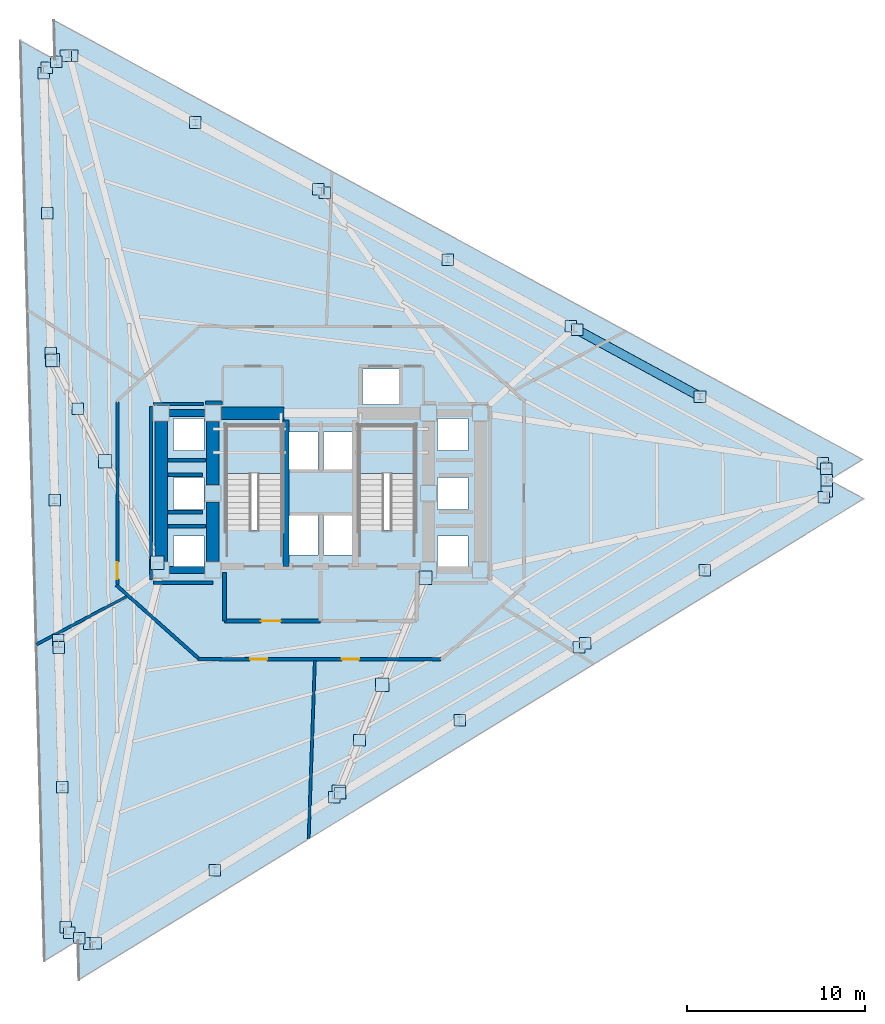
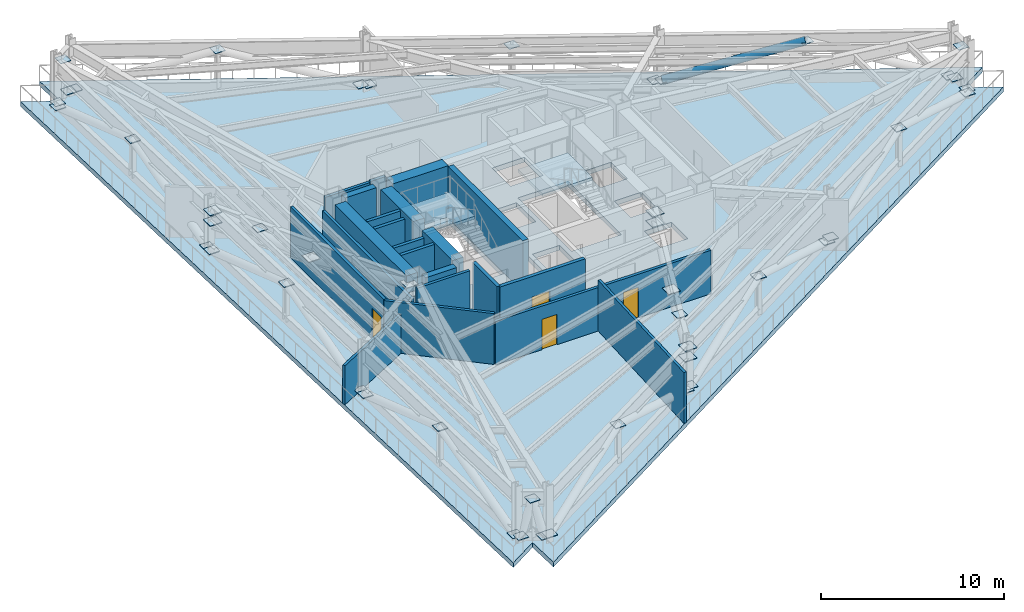
# One storey, part 5 of 10: 48 plates, 22 walls, 4 doors, 3 slabs, 1 member, 4 openings, 2 elements without a shape of their own.
"""IFC4 building model written with IfcOpenShell, lengths in metres."""

from ifc_helpers import new_model, si_unit, direction, frame, frame_2d, origin, origin_2d, place, context, subcontext, project, spatial, polyline, rectangle, hollow_circle, outline, extrude, material, layer, layer_set, material_profile, profile_set, type_object, element, fill, aggregate, save


model = new_model("IFC4")

# Units and contexts
model_context = context("Model", 3, precision=1e-05, world=origin(), true_north=direction((0.0, 1.0)))
body_context = subcontext(model_context, "Body", "Model", "MODEL_VIEW")
ifc_project = project(units=[si_unit("LENGTHUNIT", "METRE"), si_unit("AREAUNIT", "SQUARE_METRE"), si_unit("VOLUMEUNIT", "CUBIC_METRE"), si_unit("PLANEANGLEUNIT", "RADIAN"), si_unit("MASSUNIT", "GRAM", prefix="KILO")], contexts=[model_context])

# Site, building, storey
site_placement = place(None, origin())
site = spatial("IfcSite", under=ifc_project, at=site_placement, CompositionType="ELEMENT")
building_placement = place(site_placement, origin())
building = spatial("IfcBuilding", under=site, at=building_placement, Name="Rocaltana Carrier Exchange", CompositionType="ELEMENT")
storey_placement = place(building_placement, frame((0.0, 0.0, 45.760009765625)))
storey = spatial("IfcBuildingStorey", under=building, at=storey_placement, Name="L14", CompositionType="ELEMENT", Elevation=45.760009765625)

# Member
ifc_material_1 = material(Name="Steel S460", Category="steel")
ifc_material_profile = material_profile(ifc_material_1, hollow_circle(Radius=0.25390625, WallThickness=0.02001953125, at=origin_2d()), Name="CHS508X20")
ifc_profile_set = profile_set([ifc_material_profile], Name="Steel S460")
member_type = type_object("IfcMemberType", Name="Belt Truss Diagonal CHS508", PredefinedType="BRACE", material=ifc_profile_set)
member_placement = place(storey_placement, frame((21.26611328125, 5.426025390625, 2.837890625), z_axis=(-0.837669257868, 0.454830548227, -0.302389462154), x_axis=(-0.477169496269, -0.8788112834, 0.0)))
element("IfcMember", 1, at=member_placement, inside=storey, type_object=member_type, Name="L14 Belt Truss Diagonal 1B", PredefinedType="BRACE", context=body_context, shape_type="SweptSolid", body=[
    extrude(hollow_circle(Radius=0.25390625, WallThickness=0.02001953125, at=origin_2d()), origin(), (0.0, 0.0, 1.0), 8.22705078125),
])

# Plates
ifc_material_2 = material(Name="Steel S460", Category="steel")
ifc_layer_1 = layer(ifc_material_2, 0.031982421875)
ifc_layer_set_1 = layer_set([ifc_layer_1], Name="Steel S460")
plate_type_1 = type_object("IfcPlateType", Name="Belt Truss Node End-Cap Plate 650x650x32", PredefinedType="USERDEFINED", material=ifc_layer_set_1)
for number, where, z_axis, x_axis, name in (
    (2, (28.15771484375, 1.68408203125, 0.333984375), (0.0, 0.0, 1.0), (1.0, 0.0, 0.0), "L14 Belt Truss Bottom Chord 1 node plate C0"),
    (3, (14.37451171875, 9.16796875, 0.333984375), (0.0, 0.0, 1.0), (1.0, 0.0, 0.0), "L14 Belt Truss Bottom Chord 1 node plate C1"),
    (4, (21.26611328125, 5.426025390625, 2.82177734375), (0.0, 0.0, 1.0), (1.0, 0.0, 0.0), "L14 Belt Truss Diagonal 1A node plate C1"),
    (5, (14.0087890625, 9.3662109375, 0.333984375), (0.0, 0.0, 1.0), (1.0, 0.0, 0.0), "L14 Belt Truss Bottom Chord 2 node plate C0"),
    (6, (0.2255859375, 16.85009765625, 0.333984375), (0.0, 0.0, 1.0), (1.0, 0.0, 0.0), "L14 Belt Truss Bottom Chord 2 node plate C1"),
    (7, (7.1171875, 13.108154296875, 2.82177734375), (0.0, 0.0, 1.0), (1.0, 0.0, 0.0), "L14 Belt Truss Diagonal 2A node plate C1"),
    (8, (-0.14013671875, 17.048583984375, 0.333984375), (0.0, 0.0, 1.0), (1.0, 0.0, 0.0), "L14 Belt Truss Bottom Chord 3 node plate C0"),
    (9, (-13.92333984375, 24.532470703125, 0.333984375), (0.0, 0.0, 1.0), (1.0, 0.0, 0.0), "L14 Belt Truss Bottom Chord 3 node plate C1"),
    (10, (-7.03173828125, 20.79052734375, 2.82177734375), (0.0, 0.0, 1.0), (1.0, 0.0, 0.0), "L14 Belt Truss Diagonal 3A node plate C1"),
    (11, (-14.283447265625, 24.52294921875, 0.333984375), (0.0, 0.0, 1.0), (1.0, 0.0, 0.0), "L14 Belt Truss Bottom Chord 4 node plate C0"),
    (12, (-15.365478515625, 23.860107421875, 0.333984375), (0.0, 0.0, 1.0), (1.0, 0.0, 0.0), "L14 Belt Truss Bottom Chord 4 node plate C1"),
    (13, (-14.824462890625, 24.19140625, 2.82177734375), (0.0, 0.0, 1.0), (1.0, 0.0, 0.0), "L14 Belt Truss Diagonal 4A node plate C1"),
    (14, (-15.53759765625, 23.54345703125, 0.333984375), (0.0, 0.0, 1.0), (1.0, 0.0, 0.0), "L14 Belt Truss Bottom Chord 5 node plate C0"),
    (15, (-15.126708984375, 7.86474609375, 0.333984375), (0.0, 0.0, 1.0), (1.0, 0.0, 0.0), "L14 Belt Truss Bottom Chord 5 node plate C1"),
    (16, (-15.33203125, 15.7041015625, 2.82177734375), (0.0, 0.0, 1.0), (1.0, 0.0, 0.0), "L14 Belt Truss Diagonal 5A node plate C1"),
    (17, (-15.115966796875, 7.448974609375, 0.333984375), (0.0, 0.0, 1.0), (1.0, 0.0, 0.0), "L14 Belt Truss Bottom Chord 6 node plate C0"),
    (18, (-14.705322265625, -8.229736328125, 0.333984375), (0.0, 0.0, 1.0), (1.0, 0.0, 0.0), "L14 Belt Truss Bottom Chord 6 node plate C1"),
    (19, (-14.91064453125, -0.390380859375, 2.82177734375), (0.0, 0.0, 1.0), (1.0, 0.0, 0.0), "L14 Belt Truss Diagonal 6A node plate C1"),
    (20, (-14.694580078125, -8.6455078125, 0.333984375), (0.0, 0.0, 1.0), (1.0, 0.0, 0.0), "L14 Belt Truss Bottom Chord 7 node plate C0"),
    (21, (-14.283935546875, -24.32421875, 0.333984375), (0.0, 0.0, 1.0), (1.0, 0.0, 0.0), "L14 Belt Truss Bottom Chord 7 node plate C1"),
    (22, (-14.4892578125, -16.48486328125, 2.82177734375), (0.0, 0.0, 1.0), (1.0, 0.0, 0.0), "L14 Belt Truss Diagonal 7A node plate C1"),
    (23, (-14.095703125, -24.631591796875, 0.333984375), (0.0, 0.0, 1.0), (1.0, 0.0, 0.0), "L14 Belt Truss Bottom Chord 8 node plate C0"),
    (24, (-12.980712890625, -25.23681640625, 0.333984375), (0.0, 0.0, 1.0), (1.0, 0.0, 0.0), "L14 Belt Truss Bottom Chord 8 node plate C1"),
    (25, (-13.5380859375, -24.93408203125, 2.82177734375), (0.0, 0.0, 1.0), (1.0, 0.0, 0.0), "L14 Belt Truss Diagonal 8A node plate C1"),
    (26, (-12.62060546875, -25.2275390625, 0.333984375), (0.0, 0.0, 1.0), (1.0, 0.0, 0.0), "L14 Belt Truss Bottom Chord 9 node plate C0"),
    (27, (0.75244140625, -17.03271484375, 0.333984375), (0.0, 0.0, 1.0), (1.0, 0.0, 0.0), "L14 Belt Truss Bottom Chord 9 node plate C1"),
    (28, (-5.93408203125, -21.130126953125, 2.82177734375), (0.0, 0.0, 1.0), (1.0, 0.0, 0.0), "L14 Belt Truss Diagonal 9A node plate C1"),
    (29, (1.10693359375, -16.815185546875, 0.333984375), (0.0, 0.0, 1.0), (1.0, 0.0, 0.0), "L14 Belt Truss Bottom Chord 10 node plate C0"),
    (30, (14.47998046875, -8.620361328125, 0.333984375), (0.0, 0.0, 1.0), (1.0, 0.0, 0.0), "L14 Belt Truss Bottom Chord 10 node plate C1"),
    (31, (7.79345703125, -12.7177734375, 2.82177734375), (0.0, 0.0, 1.0), (1.0, 0.0, 0.0), "L14 Belt Truss Diagonal 10A node plate C1"),
    (32, (14.83447265625, -8.403076171875, 0.333984375), (0.0, 0.0, 1.0), (1.0, 0.0, 0.0), "L14 Belt Truss Bottom Chord 11 node plate C0"),
    (33, (28.20751953125, -0.208251953125, 0.333984375), (0.0, 0.0, 1.0), (1.0, 0.0, 0.0), "L14 Belt Truss Bottom Chord 11 node plate C1"),
    (34, (21.52099609375, -4.3056640625, 2.82177734375), (0.0, 0.0, 1.0), (1.0, 0.0, 0.0), "L14 Belt Truss Diagonal 11A node plate C1"),
    (35, (28.37939453125, 0.1083984375, 0.333984375), (0.0, 0.0, 1.0), (1.0, 0.0, 0.0), "L14 Belt Truss Bottom Chord 12 node plate C0"),
    (36, (28.345947265625, 1.376953125, 0.333984375), (0.0, 0.0, 1.0), (1.0, 0.0, 0.0), "L14 Belt Truss Bottom Chord 12 node plate C1"),
    (37, (28.362548828125, 0.74267578125, 2.82177734375), (0.0, 0.0, 1.0), (1.0, 0.0, 0.0), "L14 Belt Truss Diagonal 12A node plate C1"),
    (38, (-13.61962890625, 4.747314453125, 2.921875), (0.0, 0.0, 1.0), (1.0, 0.0, 0.0), "L14 Wind Floor Tie Strut 6 node plate C1"),
    (39, (2.175537109375, -13.8525390625, 2.921875), (0.0, 0.0, 1.0), (1.0, 0.0, 0.0), "L14 Wind Floor Tie Strut 10 node plate C1"),
):
    element("IfcPlate", number, at=place(storey_placement, frame(where, z_axis=z_axis, x_axis=x_axis)), inside=storey, type_object=plate_type_1, Name=name, ObjectType="GUSSET PLATE", PredefinedType="USERDEFINED", context=body_context, shape_type="SweptSolid", body=[
        extrude(rectangle(XDim=0.64990234375, YDim=0.64990234375, at=origin_2d()), origin(), (0.0, 0.0, 1.0), 0.031982421875),
    ])

# Slab
ifc_material_3 = material(Name="Concrete C50/60", Category="concrete")
ifc_layer_2 = layer(ifc_material_3, 0.320068359375)
ifc_layer_set_2 = layer_set([ifc_layer_2], Name="Concrete C50/60")
slab_type_1 = type_object("IfcSlabType", Name="Mechanical Plant Slab 320", PredefinedType="FLOOR", material=ifc_layer_set_2)
slab_1_placement = place(storey_placement, frame((0.0, 0.0, -0.320068359375)))
element("IfcSlab", 40, at=slab_1_placement, inside=storey, type_object=slab_type_1, Name="L14 Structural Floor Slab", PredefinedType="FLOOR", context=body_context, shape_type="SweptSolid", body=[
    extrude(outline(polyline([(30.444580078125, -0.30322265625), (28.51123046875, 0.74658203125), (30.38720703125, 1.89599609375), (-14.959716796875, 26.517578125), (-14.902099609375, 24.318115234375), (-16.835693359375, 25.367919921875), (-15.48486328125, -26.21435546875), (-13.609130859375, -25.064697265625), (-13.551513671875, -27.26416015625), (30.444580078125, -0.30322265625)]), holes=[polyline([(-5.300048828125, -2.06005859375), (-2.139892578125, -2.06005859375), (-2.139892578125, 3.800048828125), (-5.300048828125, 3.800048828125), (-5.300048828125, -2.06005859375)]), polyline([(2.139892578125, -2.06005859375), (5.300048828125, -2.06005859375), (5.300048828125, 3.800048828125), (2.139892578125, 3.800048828125), (2.139892578125, -2.06005859375)]), polyline([(-1.85009765625, -3.449951171875), (-0.14990234375, -3.449951171875), (-0.14990234375, -1.25), (-1.85009765625, -1.25), (-1.85009765625, -3.449951171875)]), polyline([(0.14990234375, -3.449951171875), (1.85009765625, -3.449951171875), (1.85009765625, -1.25), (0.14990234375, -1.25), (0.14990234375, -3.449951171875)]), polyline([(2.35009765625, 4.97998046875), (4.39990234375, 4.97998046875), (4.39990234375, 6.97998046875), (2.35009765625, 6.97998046875), (2.35009765625, 4.97998046875)]), polyline([(-1.85009765625, 1.35009765625), (-0.14990234375, 1.35009765625), (-0.14990234375, 3.449951171875), (-1.85009765625, 3.449951171875), (-1.85009765625, 1.35009765625)]), polyline([(0.14990234375, 1.35009765625), (1.85009765625, 1.35009765625), (1.85009765625, 3.449951171875), (0.14990234375, 3.449951171875), (0.14990234375, 1.35009765625)]), polyline([(-8.25, -4.199951171875), (-6.550048828125, -4.199951171875), (-6.550048828125, -2.39990234375), (-8.25, -2.39990234375), (-8.25, -4.199951171875)]), polyline([(-8.25, -0.89990234375), (-6.550048828125, -0.89990234375), (-6.550048828125, 0.89990234375), (-8.25, 0.89990234375), (-8.25, -0.89990234375)]), polyline([(-8.25, 2.39990234375), (-6.550048828125, 2.39990234375), (-6.550048828125, 4.199951171875), (-8.25, 4.199951171875), (-8.25, 2.39990234375)]), polyline([(6.550048828125, -4.199951171875), (8.25, -4.199951171875), (8.25, -2.39990234375), (6.550048828125, -2.39990234375), (6.550048828125, -4.199951171875)]), polyline([(6.550048828125, -0.89990234375), (8.25, -0.89990234375), (8.25, 0.89990234375), (6.550048828125, 0.89990234375), (6.550048828125, -0.89990234375)]), polyline([(6.550048828125, 2.39990234375), (8.25, 2.39990234375), (8.25, 4.199951171875), (6.550048828125, 4.199951171875), (6.550048828125, 2.39990234375)])]), origin(), (0.0, 0.0, 1.0), 0.320068359375),
])

# Plates
ifc_material_4 = material(Name="Steel S460", Category="steel")
ifc_layer_3 = layer(ifc_material_4, 0.035888671875)
ifc_layer_set_3 = layer_set([ifc_layer_3], Name="Steel S460")
plate_type_2 = type_object("IfcPlateType", Name="Outrigger Node Gusset Plate 750x750x36", PredefinedType="USERDEFINED", material=ifc_layer_set_3)
for number, where, z_axis, x_axis, name in (
    (41, (-9.166015625, -3.881591796875, 2.22216796875), (0.0, 0.0, 1.0), (1.0, 0.0, 0.0), "L14 Outrigger Bottom Chord 6 node plate C0"),
    (42, (-15.02587890625, 7.471923828125, 2.22216796875), (0.0, 0.0, 1.0), (1.0, 0.0, 0.0), "L14 Outrigger Bottom Chord 6 node plate C1"),
    (43, (-9.166015625, -3.881591796875, 2.919921875), (0.0, 0.0, 1.0), (1.0, 0.0, 0.0), "L14 Outrigger Top Chord 6 node plate C0"),
    (44, (-15.02587890625, 7.471923828125, 2.919921875), (0.0, 0.0, 1.0), (1.0, 0.0, 0.0), "L14 Outrigger Top Chord 6 node plate C1"),
    (45, (-12.095947265625, 1.79541015625, 2.22216796875), (0.0, 0.0, 1.0), (1.0, 0.0, 0.0), "L14 Outrigger Inner Diagonal 6 node plate C1"),
    (46, (5.873046875, -4.736572265625, 2.22216796875), (0.0, 0.0, 1.0), (1.0, 0.0, 0.0), "L14 Outrigger Bottom Chord 10 node plate C0"),
    (47, (1.0078125, -16.731201171875, 2.22216796875), (0.0, 0.0, 1.0), (1.0, 0.0, 0.0), "L14 Outrigger Bottom Chord 10 node plate C1"),
    (48, (5.873046875, -4.736572265625, 2.919921875), (0.0, 0.0, 1.0), (1.0, 0.0, 0.0), "L14 Outrigger Top Chord 10 node plate C0"),
    (49, (1.0078125, -16.731201171875, 2.919921875), (0.0, 0.0, 1.0), (1.0, 0.0, 0.0), "L14 Outrigger Top Chord 10 node plate C1"),
    (50, (3.4404296875, -10.73388671875, 2.22216796875), (0.0, 0.0, 1.0), (1.0, 0.0, 0.0), "L14 Outrigger Inner Diagonal 10 node plate C1"),
):
    element("IfcPlate", number, at=place(storey_placement, frame(where, z_axis=z_axis, x_axis=x_axis)), inside=storey, type_object=plate_type_2, Name=name, ObjectType="GUSSET PLATE", PredefinedType="USERDEFINED", context=body_context, shape_type="SweptSolid", body=[
        extrude(rectangle(XDim=0.75, YDim=0.75, at=origin_2d()), origin(), (0.0, 0.0, 1.0), 0.035888671875),
    ])

# Stair, slab
ifc_material_5 = material(Name="Precast concrete C45/55", Category="concrete")
stair_type = type_object("IfcStairType", Name="Standard Dog-Leg Stair 160", PredefinedType="HALF_TURN_STAIR", material=ifc_material_5)
stair_1_placement = place(storey_placement, origin())
stair_1 = element("IfcStair", 51, at=stair_1_placement, inside=storey, type_object=stair_type, Name="L14 Core West Exit Stair ST-1", PredefinedType="HALF_TURN_STAIR")
ifc_material_6 = material(Name="Precast concrete C45/55", Category="concrete")
ifc_layer_4 = layer(ifc_material_6, 0.199951171875)
ifc_layer_set_4 = layer_set([ifc_layer_4], Name="Precast concrete C45/55")
slab_type_2 = type_object("IfcSlabType", Name="Precast Stair Half-Landing 200", PredefinedType="LANDING", material=ifc_layer_set_4)
slab_2_placement = place(storey_placement, frame((0.0, 0.0, 1.719970703125)))
slab_2 = element("IfcSlab", 52, at=slab_2_placement, type_object=slab_type_2, Name="ST-1 landing 1", PredefinedType="LANDING", context=body_context, shape_type="SweptSolid", body=[
    extrude(outline(polyline([(-2.139892578125, 1.10009765625), (-2.139892578125, 3.800048828125), (-5.300048828125, 3.800048828125), (-5.300048828125, 1.10009765625), (-2.139892578125, 1.10009765625)])), origin(), (0.0, 0.0, 1.0), 0.199951171875),
])
aggregate(stair_1, [slab_2])

stair_2_placement = place(storey_placement, origin())
stair_2 = element("IfcStair", 53, at=stair_2_placement, inside=storey, type_object=stair_type, Name="L14 Core East Exit Stair ST-2", PredefinedType="HALF_TURN_STAIR")
slab_3_placement = place(storey_placement, frame((0.0, 0.0, 1.719970703125)))
slab_3 = element("IfcSlab", 54, at=slab_3_placement, type_object=slab_type_2, Name="ST-2 landing 1", PredefinedType="LANDING", context=body_context, shape_type="SweptSolid", body=[
    extrude(outline(polyline([(5.300048828125, 1.10009765625), (5.300048828125, 3.800048828125), (2.139892578125, 3.800048828125), (2.139892578125, 1.10009765625), (5.300048828125, 1.10009765625)])), origin(), (0.0, 0.0, 1.0), 0.199951171875),
])
aggregate(stair_2, [slab_3])

# Walls
ifc_material_7 = material(Name="Double Acoustic Gypsum Partition", Category="gypsum")
ifc_layer_5 = layer(ifc_material_7, 0.159912109375)
ifc_layer_set_5 = layer_set([ifc_layer_5], Name="Double Acoustic Gypsum Partition")
wall_type_1 = type_object("IfcWallType", Name="Acoustic Studio Partition 160 EI60", PredefinedType="PARTITIONING", material=ifc_layer_set_5)
wall_1_placement = place(storey_placement, frame((-10.869873046875, -5.779541015625, 0.0), z_axis=(0.0, 0.0, 1.0), x_axis=(-0.88294664721, -0.469473341288, 0.0)))
element("IfcWall", 55, at=wall_1_placement, inside=storey, type_object=wall_type_1, Name="L14 Suite Divider Wall D1", PredefinedType="PARTITIONING", context=body_context, shape_type="SweptSolid", body=[
    extrude(rectangle(XDim=5.74169921875, YDim=0.159912109375, at=frame_2d((2.870849609375, 0.0))), origin(), (0.0, 0.0, 1.0), 2.60009765625),
])
wall_2_placement = place(storey_placement, frame((-0.32763671875, -9.3798828125, 0.0), z_axis=(0.0, 0.0, 1.0), x_axis=(-0.034878979951, -0.999391543269, 0.0)))
element("IfcWall", 56, at=wall_2_placement, inside=storey, type_object=wall_type_1, Name="L14 Suite Divider Wall D2", PredefinedType="PARTITIONING", context=body_context, shape_type="SweptSolid", body=[
    extrude(rectangle(XDim=9.988525390625, YDim=0.159912109375, at=frame_2d((4.994140625, 0.0))), origin(), (0.0, 0.0, 1.0), 3.39306640625),
])
ifc_material_8 = material(Name="Concrete C50/60", Category="concrete")
ifc_layer_6 = layer(ifc_material_8, 0.35009765625)
ifc_layer_set_6 = layer_set([ifc_layer_6], Name="Concrete C50/60")
wall_type_2 = type_object("IfcWallType", Name="Core Internal Shear Wall 350", PredefinedType="SHEAR", material=ifc_layer_set_6)
wall_3_placement = place(storey_placement, frame((-1.93994140625, -4.10009765625, 0.0), z_axis=(0.0, 0.0, 1.0), x_axis=(0.0, 1.0, 0.0)))
element("IfcWall", 57, at=wall_3_placement, inside=storey, type_object=wall_type_2, Name="L14 Core Shear Wall CW-STW", PredefinedType="SHEAR", context=body_context, shape_type="SweptSolid", body=[
    extrude(rectangle(XDim=8.2001953125, YDim=0.35009765625, at=frame_2d((4.10009765625, 0.0))), origin(), (0.0, 0.0, 1.0), 3.41796875),
])
ifc_material_9 = material(Name="Concrete C50/60", Category="concrete")
ifc_layer_7 = layer(ifc_material_9, 0.39990234375)
ifc_layer_set_7 = layer_set([ifc_layer_7], Name="Concrete C50/60")
wall_type_3 = type_object("IfcWallType", Name="Core Internal Shear Wall 400", PredefinedType="SHEAR", material=ifc_layer_set_7)
for number, where, z_axis, x_axis, name in (
    (58, (-8.47509765625, 4.5, 0.0), (0.0, 0.0, 1.0), (1.0, 0.0, 0.0), "L14 Core Shear Wall CW-WWN"),
    (59, (-8.47509765625, -4.300048828125, 0.0), (0.0, 0.0, 1.0), (1.0, 0.0, 0.0), "L14 Core Shear Wall CW-WWS"),
):
    element("IfcWall", number, at=place(storey_placement, frame(where, z_axis=z_axis, x_axis=x_axis)), inside=storey, type_object=wall_type_3, Name=name, PredefinedType="SHEAR", context=body_context, shape_type="SweptSolid", body=[
        extrude(rectangle(XDim=1.9501953125, YDim=0.39990234375, at=frame_2d((0.97509765625, 0.0))), origin(), (0.0, 0.0, 1.0), 3.41796875),
    ])
ifc_material_10 = material(Name="Concrete C60/75", Category="concrete")
ifc_layer_8 = layer(ifc_material_10, 0.699951171875)
ifc_layer_set_8 = layer_set([ifc_layer_8], Name="Concrete C60/75")
wall_type_4 = type_object("IfcWallType", Name="Core Shear Wall 700", PredefinedType="SHEAR", material=ifc_layer_set_8)
wall_4_placement = place(storey_placement, frame((-6.050048828125, 0.47509765625, 0.0), z_axis=(0.0, 0.0, 1.0), x_axis=(0.0, 1.0, 0.0)))
element("IfcWall", 60, at=wall_4_placement, inside=storey, type_object=wall_type_4, Name="L14 Core Shear Wall CW-WN", PredefinedType="SHEAR", context=body_context, shape_type="SweptSolid", body=[
    extrude(rectangle(XDim=3.5498046875, YDim=0.699951171875, at=frame_2d((1.77490234375, 0.0))), origin(), (0.0, 0.0, 1.0), 3.41796875),
])
wall_5_placement = place(storey_placement, frame((-6.050048828125, -3.824951171875, 0.0), z_axis=(0.0, 0.0, 1.0), x_axis=(0.0, 1.0, 0.0)))
element("IfcWall", 61, at=wall_5_placement, inside=storey, type_object=wall_type_4, Name="L14 Core Shear Wall CW-WS", PredefinedType="SHEAR", context=body_context, shape_type="SweptSolid", body=[
    extrude(rectangle(XDim=3.349853515625, YDim=0.699951171875, at=frame_2d((1.6748046875, 0.0))), origin(), (0.0, 0.0, 1.0), 3.41796875),
])
wall_6_placement = place(storey_placement, frame((-5.574951171875, 4.5, 0.0), z_axis=(0.0, 0.0, 1.0), x_axis=(1.0, 0.0, 0.0)))
element("IfcWall", 62, at=wall_6_placement, inside=storey, type_object=wall_type_4, Name="L14 Core Shear Wall CW-N1", PredefinedType="SHEAR", context=body_context, shape_type="SweptSolid", body=[
    extrude(rectangle(XDim=3.52490234375, YDim=0.699951171875, at=frame_2d((1.762451171875, 0.0))), origin(), (0.0, 0.0, 1.0), 3.41796875),
])
wall_7_placement = place(storey_placement, frame((-8.949951171875, -3.824951171875, 0.0), z_axis=(0.0, 0.0, 1.0), x_axis=(0.0, 1.0, 0.0)))
element("IfcWall", 63, at=wall_7_placement, inside=storey, type_object=wall_type_4, Name="L14 Core Shear Wall CW-WW", PredefinedType="SHEAR", context=body_context, shape_type="SweptSolid", body=[
    extrude(rectangle(XDim=7.849853515625, YDim=0.699951171875, at=frame_2d((3.9248046875, 0.0))), origin(), (0.0, 0.0, 1.0), 3.41796875),
])

# Wall, openings, doors
ifc_material_11 = material(Name="Gypsum & Steel Stud Partition", Category="steel")
ifc_layer_9 = layer(ifc_material_11, 0.179931640625)
ifc_layer_set_9 = layer_set([ifc_layer_9], Name="Gypsum & Steel Stud Partition")
wall_type_5 = type_object("IfcWallType", Name="Corridor Fire Partition 180 EI60", PredefinedType="PARTITIONING", material=ifc_layer_set_9)
wall_8_placement = place(storey_placement, frame((6.7099609375, -9.300048828125, 0.0), z_axis=(0.0, 0.0, 1.0), x_axis=(-1.0, 0.0, 0.0)))
wall_8 = element("IfcWall", 64, at=wall_8_placement, inside=storey, type_object=wall_type_5, Name="L14 Corridor Partition 5", PredefinedType="PARTITIONING", context=body_context, shape_type="SweptSolid", body=[
    extrude(rectangle(XDim=13.599853515625, YDim=0.179931640625, at=frame_2d((6.7998046875, 0.0))), origin(), (0.0, 0.0, 1.0), 2.906982421875),
])
opening_1_placement = place(wall_8_placement, frame((9.70849609375, 0.0, 0.0)))
opening_1 = element("IfcOpeningElement", 65, at=opening_1_placement, cuts=wall_8, Name="Opening D-RM098", PredefinedType="OPENING", context=body_context, shape_type="SweptSolid", body=[
    extrude(rectangle(XDim=0.9599609375, YDim=2.02001953125, at=frame_2d((0.47998046875, 1.010009765625))), frame((0.0, 0.099853515625, 0.0), z_axis=(0.0, -1.0, 0.0), x_axis=(1.0, 0.0, 0.0)), (0.0, 0.0, 1.0), 0.199951171875),
])
opening_2_placement = place(wall_8_placement, frame((4.560791015625, 0.0, 0.0)))
opening_2 = element("IfcOpeningElement", 66, at=opening_2_placement, cuts=wall_8, Name="Opening D-RM098", PredefinedType="OPENING", context=body_context, shape_type="SweptSolid", body=[
    extrude(rectangle(XDim=0.9599609375, YDim=2.02001953125, at=frame_2d((0.47998046875, 1.010009765625))), frame((0.0, 0.099853515625, 0.0), z_axis=(0.0, -1.0, 0.0), x_axis=(1.0, 0.0, 0.0)), (0.0, 0.0, 1.0), 0.199951171875),
])
ifc_material_12 = material(Name="Engineered Hardwood Timber", Category="wood")
door_type_1 = type_object("IfcDoorType", Name="Workspace Single Door 960x2020", OperationType="NOTDEFINED", PredefinedType="DOOR", material=ifc_material_12)
door_1_placement = place(opening_1_placement, origin())
door_1 = element("IfcDoor", 67, at=door_1_placement, inside=storey, type_object=door_type_1, Name="L14 Pressurised Refuge Area Entrance Door", OperationType="SINGLE_SWING_RIGHT", OverallHeight=2.02001953125, OverallWidth=0.9599609375, PredefinedType="DOOR", context=body_context, shape_type="SweptSolid", body=[
    extrude(rectangle(XDim=0.9599609375, YDim=2.02001953125, at=frame_2d((0.47998046875, 1.010009765625))), frame((0.0, 0.02490234375, 0.0), z_axis=(0.0, -1.0, 0.0), x_axis=(1.0, 0.0, 0.0)), (0.0, 0.0, 1.0), 0.050048828125),
])
fill(opening_1, door_1)
door_2_placement = place(opening_2_placement, origin())
door_2 = element("IfcDoor", 68, at=door_2_placement, inside=storey, type_object=door_type_1, Name="L14 High-Altitude Free-Cooling AHU Room Entrance Door", OperationType="SINGLE_SWING_LEFT", OverallHeight=2.02001953125, OverallWidth=0.9599609375, PredefinedType="DOOR", context=body_context, shape_type="SweptSolid", body=[
    extrude(rectangle(XDim=0.9599609375, YDim=2.02001953125, at=frame_2d((0.47998046875, 1.010009765625))), frame((0.0, 0.02490234375, 0.0), z_axis=(0.0, -1.0, 0.0), x_axis=(1.0, 0.0, 0.0)), (0.0, 0.0, 1.0), 0.050048828125),
])
fill(opening_2, door_2)

# Wall
wall_9_placement = place(storey_placement, frame((-6.8671875, -9.239990234375, 0.0), z_axis=(0.0, 0.0, 1.0), x_axis=(-0.746532095616, 0.665349404611, 0.0)))
element("IfcWall", 69, at=wall_9_placement, inside=storey, type_object=wall_type_5, Name="L14 Corridor Partition 6", PredefinedType="PARTITIONING", context=body_context, shape_type="SweptSolid", body=[
    extrude(rectangle(XDim=6.161865234375, YDim=0.179931640625, at=frame_2d((3.0810546875, 0.0))), origin(), (0.0, 0.0, 1.0), 3.39306640625),
])

# Wall, opening, door
wall_10_placement = place(storey_placement, frame((-11.39990234375, -5.110107421875, 0.0), z_axis=(0.0, 0.0, 1.0), x_axis=(0.0, 1.0, 0.0)))
wall_10 = element("IfcWall", 70, at=wall_10_placement, inside=storey, type_object=wall_type_5, Name="L14 Corridor Partition 7", PredefinedType="PARTITIONING", context=body_context, shape_type="SweptSolid", body=[
    extrude(rectangle(XDim=10.22021484375, YDim=0.179931640625, at=frame_2d((5.110107421875, 0.0))), origin(), (0.0, 0.0, 1.0), 3.39306640625),
])
opening_3_placement = place(wall_10_placement, frame((0.30029296875, 0.0, 0.0)))
opening_3 = element("IfcOpeningElement", 71, at=opening_3_placement, cuts=wall_10, Name="Opening D-RM098", PredefinedType="OPENING", context=body_context, shape_type="SweptSolid", body=[
    extrude(rectangle(XDim=0.9599609375, YDim=2.02001953125, at=frame_2d((0.47998046875, 1.010009765625))), frame((0.0, 0.099853515625, 0.0), z_axis=(0.0, -1.0, 0.0), x_axis=(1.0, 0.0, 0.0)), (0.0, 0.0, 1.0), 0.199951171875),
])
door_3_placement = place(opening_3_placement, origin())
door_3 = element("IfcDoor", 72, at=door_3_placement, inside=storey, type_object=door_type_1, Name="L14 Heat Recovery Plenum Room Entrance Door", OperationType="SINGLE_SWING_LEFT", OverallHeight=2.02001953125, OverallWidth=0.9599609375, PredefinedType="DOOR", context=body_context, shape_type="SweptSolid", body=[
    extrude(rectangle(XDim=0.9599609375, YDim=2.02001953125, at=frame_2d((0.47998046875, 1.010009765625))), frame((0.0, 0.02490234375, 0.0), z_axis=(0.0, -1.0, 0.0), x_axis=(1.0, 0.0, 0.0)), (0.0, 0.0, 1.0), 0.050048828125),
])
fill(opening_3, door_3)

# Walls
wall_11_placement = place(storey_placement, frame((-9.510009765625, 4.8701171875, 0.0), z_axis=(0.0, 0.0, 1.0), x_axis=(0.0, -1.0, 0.0)))
element("IfcWall", 73, at=wall_11_placement, inside=storey, type_object=wall_type_5, Name="L14 Corridor Partition 9", PredefinedType="PARTITIONING", context=body_context, shape_type="SweptSolid", body=[
    extrude(rectangle(XDim=9.740234375, YDim=0.179931640625, at=frame_2d((4.8701171875, 0.0))), origin(), (0.0, 0.0, 1.0), 2.60009765625),
])
wall_12_placement = place(storey_placement, frame((-9.3701171875, -5.010009765625, 0.0), z_axis=(0.0, 0.0, 1.0), x_axis=(1.0, 0.0, 0.0)))
element("IfcWall", 74, at=wall_12_placement, inside=storey, type_object=wall_type_5, Name="L14 Corridor Partition 10", PredefinedType="PARTITIONING", context=body_context, shape_type="SweptSolid", body=[
    extrude(rectangle(XDim=3.340087890625, YDim=0.179931640625, at=frame_2d((1.669921875, 0.0))), origin(), (0.0, 0.0, 1.0), 3.39306640625),
])
wall_13_placement = place(storey_placement, frame((-5.52001953125, 5.080078125, 0.0), z_axis=(0.0, 0.0, 1.0), x_axis=(-1.0, 0.0, 0.0)))
element("IfcWall", 75, at=wall_13_placement, inside=storey, type_object=wall_type_5, Name="L14 Corridor Partition 19", PredefinedType="PARTITIONING", context=body_context, shape_type="SweptSolid", body=[
    extrude(rectangle(XDim=0.949951171875, YDim=0.179931640625, at=frame_2d((0.47509765625, 0.0))), origin(), (0.0, 0.0, 1.0), 3.39306640625),
])
wall_14_placement = place(storey_placement, frame((-6.562255859375, 5.010009765625, 0.0), z_axis=(0.0, 0.0, 1.0), x_axis=(-1.0, 0.0, 0.0)))
element("IfcWall", 76, at=wall_14_placement, inside=storey, type_object=wall_type_5, Name="L14 Corridor Partition 20", PredefinedType="PARTITIONING", context=body_context, shape_type="SweptSolid", body=[
    extrude(rectangle(XDim=2.807861328125, YDim=0.179931640625, at=frame_2d((1.40380859375, 0.0))), origin(), (0.0, 0.0, 1.0), 3.39306640625),
])
ifc_material_13 = material(Name="Autoclaved Aerated Concrete C30/37", Category="concrete")
ifc_layer_10 = layer(ifc_material_13, 0.219970703125)
ifc_layer_set_10 = layer_set([ifc_layer_10], Name="Autoclaved Aerated Concrete C30/37")
wall_type_6 = type_object("IfcWallType", Name="Firefighting Lobby Wall 220 EI120", PredefinedType="PARTITIONING", material=ifc_layer_set_10)
wall_15_placement = place(storey_placement, frame((-5.39990234375, -7.159912109375, 0.0), z_axis=(0.0, 0.0, 1.0), x_axis=(0.0, 1.0, 0.0)))
element("IfcWall", 77, at=wall_15_placement, inside=storey, type_object=wall_type_6, Name="L14 FFL Lobby 1 West Wall", PredefinedType="PARTITIONING", context=body_context, shape_type="SweptSolid", body=[
    extrude(rectangle(XDim=2.7099609375, YDim=0.219970703125, at=frame_2d((1.35498046875, 0.0))), origin(), (0.0, 0.0, 1.0), 3.39306640625),
])

# Wall, opening, door
wall_16_placement = place(storey_placement, frame((-5.39990234375, -7.159912109375, 0.0), z_axis=(0.0, 0.0, 1.0), x_axis=(1.0, 0.0, 0.0)))
wall_16 = element("IfcWall", 78, at=wall_16_placement, inside=storey, type_object=wall_type_6, Name="L14 FFL Lobby 1 South Wall", PredefinedType="PARTITIONING", context=body_context, shape_type="SweptSolid", body=[
    extrude(rectangle(XDim=5.39990234375, YDim=0.219970703125, at=frame_2d((2.699951171875, 0.0))), origin(), (0.0, 0.0, 1.0), 3.39306640625),
])
opening_4_placement = place(wall_16_placement, frame((2.050048828125, 0.0, 0.0)))
opening_4 = element("IfcOpeningElement", 79, at=opening_4_placement, cuts=wall_16, Name="Opening D-FF115", PredefinedType="OPENING", context=body_context, shape_type="SweptSolid", body=[
    extrude(rectangle(XDim=1.1201171875, YDim=2.02001953125, at=frame_2d((0.56005859375, 1.010009765625))), frame((0.0, 0.119873046875, 0.0), z_axis=(0.0, -1.0, 0.0), x_axis=(1.0, 0.0, 0.0)), (0.0, 0.0, 1.0), 0.239990234375),
])
ifc_material_14 = material(Name="Hollow Metal Fire Door Assembly", Category="steel")
door_type_2 = type_object("IfcDoorType", Name="Firefighting Lobby Door 1120x2020 FD60S", OperationType="NOTDEFINED", PredefinedType="DOOR", material=ifc_material_14)
door_4_placement = place(opening_4_placement, origin())
door_4 = element("IfcDoor", 80, at=door_4_placement, inside=storey, type_object=door_type_2, Name="L14 Firefighting Lift Lobby 1 Door", OperationType="SINGLE_SWING_RIGHT", OverallHeight=2.02001953125, OverallWidth=1.1201171875, PredefinedType="DOOR", context=body_context, shape_type="SweptSolid", body=[
    extrude(rectangle(XDim=1.1201171875, YDim=2.02001953125, at=frame_2d((0.56005859375, 1.010009765625))), frame((0.0, 0.02490234375, 0.0), z_axis=(0.0, -1.0, 0.0), x_axis=(1.0, 0.0, 0.0)), (0.0, 0.0, 1.0), 0.050048828125),
])
fill(opening_4, door_4)

# Walls
ifc_material_15 = material(Name="Reinforced Concrete Block C35/45", Category="concrete")
ifc_layer_11 = layer(ifc_material_15, 0.199951171875)
ifc_layer_set_11 = layer_set([ifc_layer_11], Name="Reinforced Concrete Block C35/45")
wall_type_7 = type_object("IfcWallType", Name="Lift Hoistway Enclosure Wall 200 EI120", PredefinedType="PARTITIONING", material=ifc_layer_set_11)
for number, where, z_axis, x_axis, name in (
    (81, (-8.550048828125, -1.85009765625, 0.0), (0.0, 0.0, 1.0), (1.0, 0.0, 0.0), "L14 Low-Rise Shaft Divider 1"),
    (82, (-8.550048828125, 1.85009765625, 0.0), (0.0, 0.0, 1.0), (1.0, 0.0, 0.0), "L14 Low-Rise Shaft Divider 2"),
):
    element("IfcWall", number, at=place(storey_placement, frame(where, z_axis=z_axis, x_axis=x_axis)), inside=storey, type_object=wall_type_7, Name=name, PredefinedType="PARTITIONING", context=body_context, shape_type="SweptSolid", body=[
        extrude(rectangle(XDim=2.10009765625, YDim=0.199951171875, at=frame_2d((1.050048828125, 0.0))), origin(), (0.0, 0.0, 1.0), 3.39306640625),
    ])
for number, where, z_axis, x_axis, name in (
    (83, (-8.550048828125, -1.050048828125, 0.0), (0.0, 0.0, 1.0), (1.0, 0.0, 0.0), "L14 Low-Rise Center Shaft Wall South"),
    (84, (-8.550048828125, 1.050048828125, 0.0), (0.0, 0.0, 1.0), (1.0, 0.0, 0.0), "L14 Low-Rise Center Shaft Wall North"),
):
    element("IfcWall", number, at=place(storey_placement, frame(where, z_axis=z_axis, x_axis=x_axis)), inside=storey, type_object=wall_type_7, Name=name, PredefinedType="PARTITIONING", context=body_context, shape_type="SweptSolid", body=[
        extrude(rectangle(XDim=1.91015625, YDim=0.199951171875, at=frame_2d((0.955078125, 0.0))), origin(), (0.0, 0.0, 1.0), 3.39306640625),
    ])

save(model, "model.ifc")
